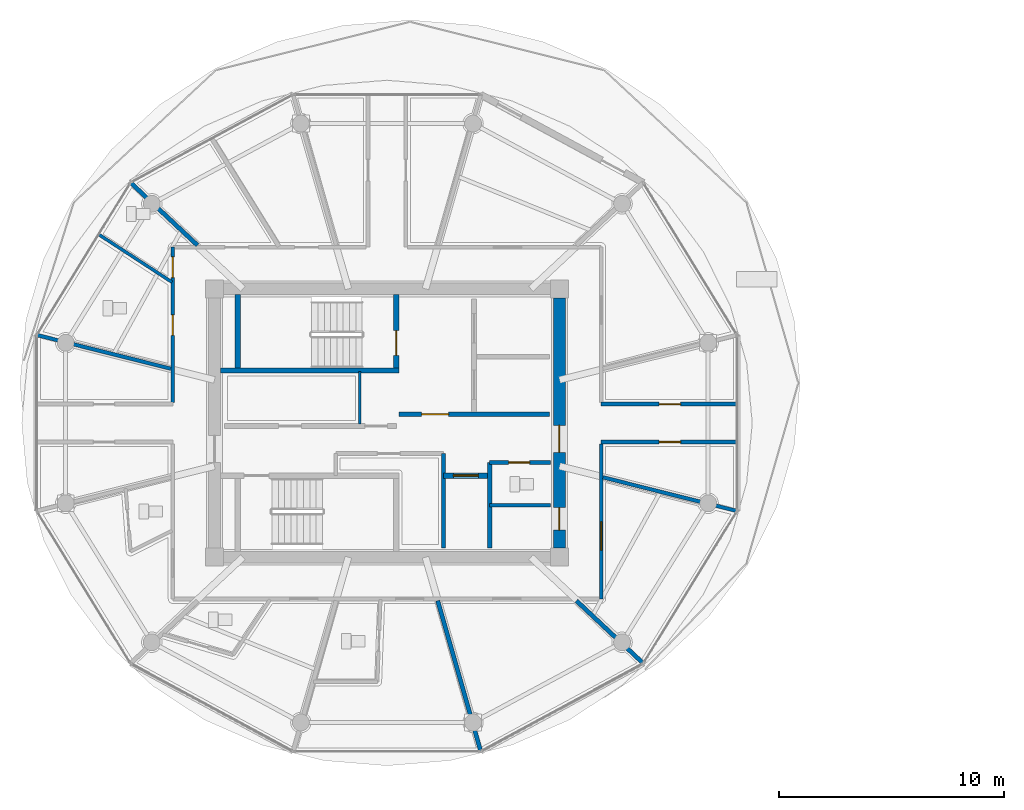
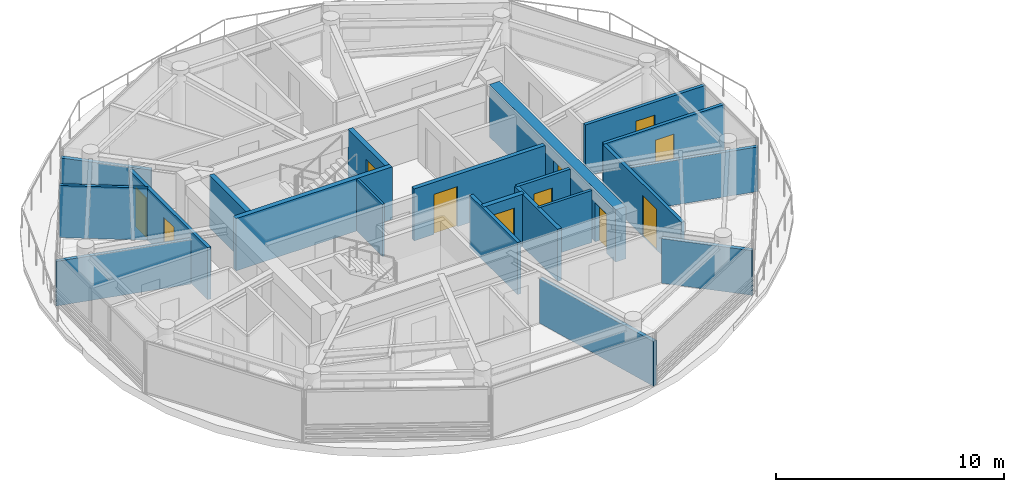
# One storey, part 11 of 28: 21 walls, 11 doors, 11 openings.
"""IFC4 building model written with IfcOpenShell, lengths in metres."""

from ifc_helpers import new_model, si_unit, direction, frame, frame_2d, origin, place, context, subcontext, project, spatial, rectangle, extrude, source, transform, mapped, material, layer, layer_set, type_object, type_shapes, element, fill, save


model = new_model("IFC4")

# Units and contexts
model_context = context("Model", 3, precision=1e-05, world=origin(), true_north=direction((0.0, 1.0)))
body_context = subcontext(model_context, "Body", "Model", "MODEL_VIEW")
ifc_project = project(units=[si_unit("LENGTHUNIT", "METRE"), si_unit("AREAUNIT", "SQUARE_METRE"), si_unit("VOLUMEUNIT", "CUBIC_METRE"), si_unit("PLANEANGLEUNIT", "RADIAN"), si_unit("MASSUNIT", "GRAM", prefix="KILO")], contexts=[model_context])

# Site, building, storey
site_placement = place(None, origin())
site = spatial("IfcSite", under=ifc_project, at=site_placement, CompositionType="ELEMENT")
building_placement = place(site_placement, origin())
building = spatial("IfcBuilding", under=site, at=building_placement, Name="Norrkilde Senior Care Towers", CompositionType="ELEMENT")
storey_placement = place(building_placement, frame((0.0, 0.0, 190.64990234375)))
storey = spatial("IfcBuildingStorey", under=building, at=storey_placement, Name="L59", CompositionType="ELEMENT", Elevation=190.64990234375)

# Wall, openings, doors
ifc_material_1 = material(Name="Concrete C50/60", Category="concrete")
ifc_layer_1 = layer(ifc_material_1, 0.52001953125)
ifc_layer_set_1 = layer_set([ifc_layer_1], Name="Concrete C50/60")
wall_type_1 = type_object("IfcWallType", Name="Core Shear Wall Z4 520", PredefinedType="SHEAR", material=ifc_layer_set_1)
shared_shape_1 = source(origin(), body_context, "Body", "SweptSolid", [
    extrude(rectangle(XDim=11.10009765625, YDim=0.52001953125, at=frame_2d((5.550048828125, 0.0))), origin(), (0.0, 0.0, 1.0), 2.81005859375),
])
type_shapes(wall_type_1, [shared_shape_1])
wall_1_placement = place(storey_placement, frame((-20.35009765625, 5.550048828125, 0.0), z_axis=(0.0, 0.0, 1.0), x_axis=(0.0, -1.0, 0.0)))
wall_1 = element("IfcWall", 1, at=wall_1_placement, inside=storey, type_object=wall_type_1, Name="L59 Core W East Shear Wall", PredefinedType="SHEAR", context=body_context, shape_type="MappedRepresentation", body=[
    mapped(shared_shape_1, transform((0.0, 0.0, 0.0), x_axis=(1.0, 0.0, 0.0), y_axis=(0.0, 1.0, 0.0), z_axis=(0.0, 0.0, 1.0), scale=1.0)),
])
opening_1_placement = place(wall_1_placement, frame((5.64990234375, 0.0, 0.0)))
opening_1 = element("IfcOpeningElement", 2, at=opening_1_placement, cuts=wall_1, Name="Opening D-04", PredefinedType="OPENING", context=body_context, shape_type="SweptSolid", body=[
    extrude(rectangle(XDim=1.199951171875, YDim=2.14990234375, at=frame_2d((0.60009765625, 1.074951171875))), frame((0.0, 0.27001953125, 0.0), z_axis=(0.0, -1.0, 0.0), x_axis=(1.0, 0.0, 0.0)), (0.0, 0.0, 1.0), 0.5400390625),
])
opening_2_placement = place(wall_1_placement, frame((9.300048828125, 0.0, 0.0)))
opening_2 = element("IfcOpeningElement", 3, at=opening_2_placement, cuts=wall_1, Name="Opening D-10", PredefinedType="OPENING", context=body_context, shape_type="SweptSolid", body=[
    extrude(rectangle(XDim=1.0, YDim=2.10009765625, at=frame_2d((0.5, 1.050048828125))), frame((0.0, 0.27001953125, 0.0), z_axis=(0.0, -1.0, 0.0), x_axis=(1.0, 0.0, 0.0)), (0.0, 0.0, 1.0), 0.5400390625),
])
ifc_material_2 = material(Name="Galvanised Painted Steel", Category="steel")
door_type_1 = type_object("IfcDoorType", Name="Firefighting Lobby Fire Door 1200x2150", OperationType="NOTDEFINED", PredefinedType="DOOR", material=ifc_material_2)
shared_shape_2 = source(origin(), body_context, "Body", "SweptSolid", [
    extrude(rectangle(XDim=1.199951171875, YDim=2.14990234375, at=frame_2d((0.60009765625, 1.074951171875))), frame((0.0, 0.02490234375, 0.0), z_axis=(0.0, -1.0, 0.0), x_axis=(1.0, 0.0, 0.0)), (0.0, 0.0, 1.0), 0.050048828125),
])
type_shapes(door_type_1, [shared_shape_2])
door_1_placement = place(opening_1_placement, frame((1.199951171875, 0.0, 0.0), z_axis=(0.0, 0.0, 1.0), x_axis=(-1.0, 0.0, 0.0)))
door_1 = element("IfcDoor", 4, at=door_1_placement, inside=storey, type_object=door_type_1, Name="L59 Core W East Portal Door", OperationType="SINGLE_SWING_RIGHT", OverallHeight=2.14990234375, OverallWidth=1.199951171875, PredefinedType="DOOR", context=body_context, shape_type="MappedRepresentation", body=[
    mapped(shared_shape_2, transform((0.0, 0.0, 0.0), x_axis=(1.0, 0.0, 0.0), y_axis=(0.0, 1.0, 0.0), z_axis=(0.0, 0.0, 1.0), scale=1.0)),
])
fill(opening_1, door_1)
door_type_2 = type_object("IfcDoorType", Name="Plant and Riser Rated Door 1000x2100", OperationType="NOTDEFINED", PredefinedType="DOOR", material=ifc_material_2)
shared_shape_3 = source(origin(), body_context, "Body", "SweptSolid", [
    extrude(rectangle(XDim=1.0, YDim=2.10009765625, at=frame_2d((0.5, 1.050048828125))), frame((0.0, 0.02490234375, 0.0), z_axis=(0.0, -1.0, 0.0), x_axis=(1.0, 0.0, 0.0)), (0.0, 0.0, 1.0), 0.050048828125),
])
type_shapes(door_type_2, [shared_shape_3])
door_2_placement = place(opening_2_placement, frame((1.0, 0.0, 0.0), z_axis=(0.0, 0.0, 1.0), x_axis=(-1.0, 0.0, 0.0)))
door_2 = element("IfcDoor", 5, at=door_2_placement, inside=storey, type_object=door_type_2, Name="L59 Ventilation Riser W Door", OperationType="SINGLE_SWING_RIGHT", OverallHeight=2.10009765625, OverallWidth=1.0, PredefinedType="DOOR", context=body_context, shape_type="MappedRepresentation", body=[
    mapped(shared_shape_3, transform((0.0, 0.0, 0.0), x_axis=(1.0, 0.0, 0.0), y_axis=(0.0, 1.0, 0.0), z_axis=(0.0, 0.0, 1.0), scale=1.0)),
])
fill(opening_2, door_2)

# Wall, opening, door
ifc_material_3 = material(Name="Concrete C45/55", Category="concrete")
ifc_layer_2 = layer(ifc_material_3, 0.2099609375)
ifc_layer_set_2 = layer_set([ifc_layer_2], Name="Concrete C45/55")
wall_type_2 = type_object("IfcWallType", Name="Firefighting Lobby Wall 210", PredefinedType="PARTITIONING", material=ifc_layer_set_2)
shared_shape_4 = source(origin(), body_context, "Body", "SweptSolid", [
    extrude(rectangle(XDim=6.659912109375, YDim=0.2099609375, at=frame_2d((3.330078125, 0.0))), origin(), (0.0, 0.0, 1.0), 2.795166015625),
])
type_shapes(wall_type_2, [shared_shape_4])
wall_2_placement = place(storey_placement, frame((-27.4599609375, 0.389892578125, 0.0), z_axis=(0.0, 0.0, 1.0), x_axis=(1.0, 0.0, 0.0)))
wall_2 = element("IfcWall", 6, at=wall_2_placement, inside=storey, type_object=wall_type_2, Name="WL-INT-L59-W-FFLS", PredefinedType="PARTITIONING", context=body_context, shape_type="MappedRepresentation", body=[
    mapped(shared_shape_4, transform((0.0, 0.0, 0.0), x_axis=(1.0, 0.0, 0.0), y_axis=(0.0, 1.0, 0.0), z_axis=(0.0, 0.0, 1.0), scale=1.0)),
])
opening_3_placement = place(wall_2_placement, frame((1.0, 0.0, 0.0)))
opening_3 = element("IfcOpeningElement", 7, at=opening_3_placement, cuts=wall_2, Name="Opening D-04", PredefinedType="OPENING", context=body_context, shape_type="SweptSolid", body=[
    extrude(rectangle(XDim=1.199951171875, YDim=2.14990234375, at=frame_2d((0.60009765625, 1.074951171875))), frame((0.0, 0.114990234375, 0.0), z_axis=(0.0, -1.0, 0.0), x_axis=(1.0, 0.0, 0.0)), (0.0, 0.0, 1.0), 0.22998046875),
])
door_3_placement = place(opening_3_placement, frame((1.199951171875, 0.0, 0.0), z_axis=(0.0, 0.0, 1.0), x_axis=(-1.0, 0.0, 0.0)))
door_3 = element("IfcDoor", 8, at=door_3_placement, inside=storey, type_object=door_type_1, Name="L59 Firefighting Lobby W Door", OperationType="SINGLE_SWING_LEFT", OverallHeight=2.14990234375, OverallWidth=1.199951171875, PredefinedType="DOOR", context=body_context, shape_type="MappedRepresentation", body=[
    mapped(shared_shape_2, transform((0.0, 0.0, 0.0), x_axis=(1.0, 0.0, 0.0), y_axis=(0.0, 1.0, 0.0), z_axis=(0.0, 0.0, 1.0), scale=1.0)),
])
fill(opening_3, door_3)

# Walls
ifc_material_4 = material(Name="Gypsum Acoustic Board")
ifc_layer_3 = layer(ifc_material_4, 0.114990234375)
ifc_layer_set_3 = layer_set([ifc_layer_3], Name="Gypsum Acoustic Board")
wall_type_3 = type_object("IfcWallType", Name="Internal Room Partition 115", PredefinedType="PARTITIONING", material=ifc_layer_set_3)
shared_shape_5 = source(origin(), body_context, "Body", "SweptSolid", [
    extrude(rectangle(XDim=2.330078125, YDim=0.114990234375, at=frame_2d((1.1650390625, 0.0))), origin(), (0.0, 0.0, 1.0), 2.795166015625),
])
type_shapes(wall_type_3, [shared_shape_5])
wall_3_placement = place(storey_placement, frame((-29.2099609375, -0.050048828125, 0.0), z_axis=(0.0, 0.0, 1.0), x_axis=(0.0, 1.0, 0.0)))
element("IfcWall", 9, at=wall_3_placement, inside=storey, type_object=wall_type_3, Name="WL-INT-L59-W-RISW", PredefinedType="PARTITIONING", context=body_context, shape_type="MappedRepresentation", body=[
    mapped(shared_shape_5, transform((0.0, 0.0, 0.0), x_axis=(1.0, 0.0, 0.0), y_axis=(0.0, 1.0, 0.0), z_axis=(0.0, 0.0, 1.0), scale=1.0)),
])
ifc_layer_4 = layer(ifc_material_3, 0.199951171875)
ifc_layer_set_4 = layer_set([ifc_layer_4], Name="Concrete C45/55")
wall_type_4 = type_object("IfcWallType", Name="Shaft Division and Plant Partition 200", PredefinedType="PARTITIONING", material=ifc_layer_set_4)
shared_shape_6 = source(origin(), body_context, "Body", "SweptSolid", [
    extrude(rectangle(XDim=3.800048828125, YDim=0.199951171875, at=frame_2d((1.89990234375, 0.0))), origin(), (0.0, 0.0, 1.0), 2.795166015625),
])
type_shapes(wall_type_4, [shared_shape_6])
wall_4_placement = place(storey_placement, frame((-23.449951171875, -5.550048828125, 0.0), z_axis=(0.0, 0.0, 1.0), x_axis=(0.0, 1.0, 0.0)))
element("IfcWall", 10, at=wall_4_placement, inside=storey, type_object=wall_type_4, Name="WL-INT-L59-W-PKBE", PredefinedType="PARTITIONING", context=body_context, shape_type="MappedRepresentation", body=[
    mapped(shared_shape_6, transform((0.0, 0.0, 0.0), x_axis=(1.0, 0.0, 0.0), y_axis=(0.0, 1.0, 0.0), z_axis=(0.0, 0.0, 1.0), scale=1.0)),
])

# Wall, opening, door
ifc_layer_5 = layer(ifc_material_4, 0.1650390625)
ifc_layer_set_5 = layer_set([ifc_layer_5], Name="Gypsum Acoustic Board")
wall_type_5 = type_object("IfcWallType", Name="Corridor Rated Partition 165", PredefinedType="PARTITIONING", material=ifc_layer_set_5)
shared_shape_7 = source(origin(), body_context, "Body", "SweptSolid", [
    extrude(rectangle(XDim=2.699951171875, YDim=0.1650390625, at=frame_2d((1.35009765625, 0.0))), origin(), (0.0, 0.0, 1.0), 2.795166015625),
])
wall_5_placement = place(storey_placement, frame((-23.449951171875, -1.75, 0.0), z_axis=(0.0, 0.0, 1.0), x_axis=(1.0, 0.0, 0.0)))
wall_5 = element("IfcWall", 11, at=wall_5_placement, inside=storey, type_object=wall_type_5, Name="WL-INT-L59-W-CSN", PredefinedType="PARTITIONING", context=body_context, shape_type="MappedRepresentation", body=[
    mapped(shared_shape_7, transform((0.0, 0.0, 0.0), x_axis=(1.0, 0.0, 0.0), y_axis=(0.0, 1.0, 0.0), z_axis=(0.0, 0.0, 1.0), scale=1.0)),
])
opening_4_placement = place(wall_5_placement, frame((0.85009765625, 0.0, 0.0)))
opening_4 = element("IfcOpeningElement", 12, at=opening_4_placement, cuts=wall_5, Name="Opening D-12", PredefinedType="OPENING", context=body_context, shape_type="SweptSolid", body=[
    extrude(rectangle(XDim=0.925048828125, YDim=2.10009765625, at=frame_2d((0.46240234375, 1.050048828125))), frame((0.0, 0.092529296875, 0.0), z_axis=(0.0, -1.0, 0.0), x_axis=(1.0, 0.0, 0.0)), (0.0, 0.0, 1.0), 0.18505859375),
])
door_type_3 = type_object("IfcDoorType", Name="Core Wet Room Rated Door 925x2100", OperationType="NOTDEFINED", PredefinedType="DOOR", material=ifc_material_2)
shared_shape_8 = source(origin(), body_context, "Body", "SweptSolid", [
    extrude(rectangle(XDim=0.925048828125, YDim=2.10009765625, at=frame_2d((0.46240234375, 1.050048828125))), frame((0.0, 0.02490234375, 0.0), z_axis=(0.0, -1.0, 0.0), x_axis=(1.0, 0.0, 0.0)), (0.0, 0.0, 1.0), 0.050048828125),
])
type_shapes(door_type_3, [shared_shape_8])
door_4_placement = place(opening_4_placement, origin())
door_4 = element("IfcDoor", 13, at=door_4_placement, inside=storey, type_object=door_type_3, Name="L59 Staff WC W Door", OperationType="SINGLE_SWING_LEFT", OverallHeight=2.10009765625, OverallWidth=0.925048828125, PredefinedType="DOOR", context=body_context, shape_type="MappedRepresentation", body=[
    mapped(shared_shape_8, transform((0.0, 0.0, 0.0), x_axis=(1.0, 0.0, 0.0), y_axis=(0.0, 1.0, 0.0), z_axis=(0.0, 0.0, 1.0), scale=1.0)),
])
fill(opening_4, door_4)

# Wall, openings, doors
shared_shape_9 = source(origin(), body_context, "Body", "SweptSolid", [
    extrude(rectangle(XDim=6.880126953125, YDim=0.1650390625, at=frame_2d((3.43994140625, 0.0))), origin(), (0.0, 0.0, 1.0), 2.795166015625),
])
wall_6_placement = place(storey_placement, frame((-37.5, 0.919921875, 0.0), z_axis=(0.0, 0.0, 1.0), x_axis=(0.0, 1.0, 0.0)))
wall_6 = element("IfcWall", 14, at=wall_6_placement, inside=storey, type_object=wall_type_5, Name="WL-INT-L59-W-CRW-W-1", PredefinedType="PARTITIONING", context=body_context, shape_type="MappedRepresentation", body=[
    mapped(shared_shape_9, transform((0.0, 0.0, 0.0), x_axis=(1.0, 0.0, 0.0), y_axis=(0.0, 1.0, 0.0), z_axis=(0.0, 0.0, 1.0), scale=1.0)),
])
opening_5_placement = place(wall_6_placement, frame((5.525146484375, 0.0, 0.0)))
opening_5 = element("IfcOpeningElement", 15, at=opening_5_placement, cuts=wall_6, Name="Opening D-08", PredefinedType="OPENING", context=body_context, shape_type="SweptSolid", body=[
    extrude(rectangle(XDim=0.919921875, YDim=2.10009765625, at=frame_2d((0.4599609375, 1.050048828125))), frame((0.0, 0.092529296875, 0.0), z_axis=(0.0, -1.0, 0.0), x_axis=(1.0, 0.0, 0.0)), (0.0, 0.0, 1.0), 0.18505859375),
])
opening_6_placement = place(wall_6_placement, frame((2.96240234375, 0.0, 0.0)))
opening_6 = element("IfcOpeningElement", 16, at=opening_6_placement, cuts=wall_6, Name="Opening D-08", PredefinedType="OPENING", context=body_context, shape_type="SweptSolid", body=[
    extrude(rectangle(XDim=0.919921875, YDim=2.10009765625, at=frame_2d((0.4599609375, 1.050048828125))), frame((0.0, 0.092529296875, 0.0), z_axis=(0.0, -1.0, 0.0), x_axis=(1.0, 0.0, 0.0)), (0.0, 0.0, 1.0), 0.18505859375),
])
ifc_material_5 = material(Name="Nordic Ash Timber", Category="wood")
door_type_4 = type_object("IfcDoorType", Name="Accessible Wet Room Door 920x2100", OperationType="NOTDEFINED", PredefinedType="DOOR", material=ifc_material_5)
shared_shape_10 = source(origin(), body_context, "Body", "SweptSolid", [
    extrude(rectangle(XDim=0.919921875, YDim=2.10009765625, at=frame_2d((0.4599609375, 1.050048828125))), frame((0.0, 0.02490234375, 0.0), z_axis=(0.0, -1.0, 0.0), x_axis=(1.0, 0.0, 0.0)), (0.0, 0.0, 1.0), 0.050048828125),
])
type_shapes(door_type_4, [shared_shape_10])
door_5_placement = place(opening_5_placement, frame((0.919921875, 0.0, 0.0), z_axis=(0.0, 0.0, 1.0), x_axis=(-1.0, 0.0, 0.0)))
door_5 = element("IfcDoor", 17, at=door_5_placement, inside=storey, type_object=door_type_4, Name="L59 Accessible Restroom Door", OperationType="SINGLE_SWING_LEFT", OverallHeight=2.10009765625, OverallWidth=0.919921875, PredefinedType="DOOR", context=body_context, shape_type="MappedRepresentation", body=[
    mapped(shared_shape_10, transform((0.0, 0.0, 0.0), x_axis=(1.0, 0.0, 0.0), y_axis=(0.0, 1.0, 0.0), z_axis=(0.0, 0.0, 1.0), scale=1.0)),
])
fill(opening_5, door_5)
door_6_placement = place(opening_6_placement, frame((0.919921875, 0.0, 0.0), z_axis=(0.0, 0.0, 1.0), x_axis=(-1.0, 0.0, 0.0)))
door_6 = element("IfcDoor", 18, at=door_6_placement, inside=storey, type_object=door_type_4, Name="L59 Public Restroom Door", OperationType="SINGLE_SWING_RIGHT", OverallHeight=2.10009765625, OverallWidth=0.919921875, PredefinedType="DOOR", context=body_context, shape_type="MappedRepresentation", body=[
    mapped(shared_shape_10, transform((0.0, 0.0, 0.0), x_axis=(1.0, 0.0, 0.0), y_axis=(0.0, 1.0, 0.0), z_axis=(0.0, 0.0, 1.0), scale=1.0)),
])
fill(opening_6, door_6)

# Wall, opening, door
wall_7_placement = place(storey_placement, frame((-18.5, -0.919921875, 0.0), z_axis=(0.0, 0.0, 1.0), x_axis=(0.0, -1.0, 0.0)))
wall_7 = element("IfcWall", 19, at=wall_7_placement, inside=storey, type_object=wall_type_5, Name="WL-INT-L59-W-CRW-E-1", PredefinedType="PARTITIONING", context=body_context, shape_type="MappedRepresentation", body=[
    mapped(shared_shape_9, transform((0.0, 0.0, 0.0), x_axis=(1.0, 0.0, 0.0), y_axis=(0.0, 1.0, 0.0), z_axis=(0.0, 0.0, 1.0), scale=1.0)),
])
opening_7_placement = place(wall_7_placement, frame((3.46435546875, 0.0, 0.0)))
opening_7 = element("IfcOpeningElement", 20, at=opening_7_placement, cuts=wall_7, Name="Opening D-05", PredefinedType="OPENING", context=body_context, shape_type="SweptSolid", body=[
    extrude(rectangle(XDim=1.25, YDim=2.199951171875, at=frame_2d((0.625, 1.10009765625))), frame((0.0, 0.092529296875, 0.0), z_axis=(0.0, -1.0, 0.0), x_axis=(1.0, 0.0, 0.0)), (0.0, 0.0, 1.0), 0.18505859375),
])
door_type_5 = type_object("IfcDoorType", Name="Care Bedroom Bariatric Door 1250x2200", OperationType="NOTDEFINED", PredefinedType="DOOR", material=ifc_material_5)
shared_shape_11 = source(origin(), body_context, "Body", "SweptSolid", [
    extrude(rectangle(XDim=1.25, YDim=2.199951171875, at=frame_2d((0.625, 1.10009765625))), frame((0.0, 0.02490234375, 0.0), z_axis=(0.0, -1.0, 0.0), x_axis=(1.0, 0.0, 0.0)), (0.0, 0.0, 1.0), 0.050048828125),
])
type_shapes(door_type_5, [shared_shape_11])
door_7_placement = place(opening_7_placement, frame((1.25, 0.0, 0.0), z_axis=(0.0, 0.0, 1.0), x_axis=(-1.0, 0.0, 0.0)))
door_7 = element("IfcDoor", 21, at=door_7_placement, inside=storey, type_object=door_type_5, Name="L59 Care Coordination Charting Office Door", OperationType="SINGLE_SWING_LEFT", OverallHeight=2.199951171875, OverallWidth=1.25, PredefinedType="DOOR", context=body_context, shape_type="MappedRepresentation", body=[
    mapped(shared_shape_11, transform((0.0, 0.0, 0.0), x_axis=(1.0, 0.0, 0.0), y_axis=(0.0, 1.0, 0.0), z_axis=(0.0, 0.0, 1.0), scale=1.0)),
])
fill(opening_7, door_7)

ifc_layer_6 = layer(ifc_material_3, 0.239990234375)
ifc_layer_set_6 = layer_set([ifc_layer_6], Name="Concrete C45/55")
wall_type_6 = type_object("IfcWallType", Name="Lift and Plant Rated Enclosure Partition 240", PredefinedType="PARTITIONING", material=ifc_layer_set_6)
shared_shape_12 = source(origin(), body_context, "Body", "SweptSolid", [
    extrude(rectangle(XDim=2.050048828125, YDim=0.239990234375, at=frame_2d((1.02490234375, 0.0))), origin(), (0.0, 0.0, 1.0), 2.795166015625),
])
type_shapes(wall_type_6, [shared_shape_12])
wall_8_placement = place(storey_placement, frame((-25.5, -2.330078125, 0.0), z_axis=(0.0, 0.0, 1.0), x_axis=(1.0, 0.0, 0.0)))
wall_8 = element("IfcWall", 22, at=wall_8_placement, inside=storey, type_object=wall_type_6, Name="WL-INT-L59-W-PL4N", PredefinedType="PARTITIONING", context=body_context, shape_type="MappedRepresentation", body=[
    mapped(shared_shape_12, transform((0.0, 0.0, 0.0), x_axis=(1.0, 0.0, 0.0), y_axis=(0.0, 1.0, 0.0), z_axis=(0.0, 0.0, 1.0), scale=1.0)),
])
opening_8_placement = place(wall_8_placement, frame((0.449951171875, 0.0, 0.0)))
opening_8 = element("IfcOpeningElement", 23, at=opening_8_placement, cuts=wall_8, Name="Opening LD-01", PredefinedType="OPENING", context=body_context, shape_type="SweptSolid", body=[
    extrude(rectangle(XDim=1.10009765625, YDim=2.199951171875, at=frame_2d((0.550048828125, 1.10009765625))), frame((0.0, 0.1298828125, 0.0), z_axis=(0.0, -1.0, 0.0), x_axis=(1.0, 0.0, 0.0)), (0.0, 0.0, 1.0), 0.260009765625),
])
ifc_material_6 = material(Name="Stainless Steel", Category="steel")
door_type_6 = type_object("IfcDoorType", Name="Lift Landing Sliding Door 1100x2200", OperationType="NOTDEFINED", PredefinedType="DOOR", material=ifc_material_6)
shared_shape_13 = source(origin(), body_context, "Body", "SweptSolid", [
    extrude(rectangle(XDim=1.10009765625, YDim=2.199951171875, at=frame_2d((0.550048828125, 1.10009765625))), frame((0.0, 0.02490234375, 0.0), z_axis=(0.0, -1.0, 0.0), x_axis=(1.0, 0.0, 0.0)), (0.0, 0.0, 1.0), 0.050048828125),
])
type_shapes(door_type_6, [shared_shape_13])
door_8_placement = place(opening_8_placement, frame((1.10009765625, 0.0, 0.0), z_axis=(0.0, 0.0, 1.0), x_axis=(-1.0, 0.0, 0.0)))
door_8 = element("IfcDoor", 24, at=door_8_placement, inside=storey, type_object=door_type_6, Name="L59 Passenger Lift W4 Landing Door", OperationType="SLIDING_TO_RIGHT", OverallHeight=2.199951171875, OverallWidth=1.10009765625, PredefinedType="DOOR", context=body_context, shape_type="MappedRepresentation", body=[
    mapped(shared_shape_13, transform((0.0, 0.0, 0.0), x_axis=(1.0, 0.0, 0.0), y_axis=(0.0, 1.0, 0.0), z_axis=(0.0, 0.0, 1.0), scale=1.0)),
])
fill(opening_8, door_8)

# Walls
ifc_layer_7 = layer(ifc_material_3, 0.179931640625)
ifc_layer_set_7 = layer_set([ifc_layer_7], Name="Concrete C45/55")
wall_type_7 = type_object("IfcWallType", Name="Hoistway Division Rated Partition 180", PredefinedType="PARTITIONING", material=ifc_layer_set_7)
shared_shape_14 = source(origin(), body_context, "Body", "SweptSolid", [
    extrude(rectangle(XDim=4.199951171875, YDim=0.179931640625, at=frame_2d((2.10009765625, 0.0))), origin(), (0.0, 0.0, 1.0), 2.795166015625),
])
type_shapes(wall_type_7, [shared_shape_14])
wall_9_placement = place(storey_placement, frame((-25.5, -5.550048828125, 0.0), z_axis=(0.0, 0.0, 1.0), x_axis=(0.0, 1.0, 0.0)))
element("IfcWall", 25, at=wall_9_placement, inside=storey, type_object=wall_type_7, Name="WL-INT-L59-W-PL4W", PredefinedType="PARTITIONING", context=body_context, shape_type="MappedRepresentation", body=[
    mapped(shared_shape_14, transform((0.0, 0.0, 0.0), x_axis=(1.0, 0.0, 0.0), y_axis=(0.0, 1.0, 0.0), z_axis=(0.0, 0.0, 1.0), scale=1.0)),
])
ifc_layer_8 = layer(ifc_material_4, 0.139892578125)
ifc_layer_set_8 = layer_set([ifc_layer_8], Name="Gypsum Acoustic Board")
wall_type_8 = type_object("IfcWallType", Name="En-suite Wet Room Wall 140", PredefinedType="PARTITIONING", material=ifc_layer_set_8)
shared_shape_15 = source(origin(), body_context, "Body", "SweptSolid", [
    extrude(rectangle(XDim=2.699951171875, YDim=0.139892578125, at=frame_2d((1.35009765625, 0.0))), origin(), (0.0, 0.0, 1.0), 2.795166015625),
])
wall_10_placement = place(storey_placement, frame((-23.449951171875, -3.64990234375, 0.0), z_axis=(0.0, 0.0, 1.0), x_axis=(1.0, 0.0, 0.0)))
element("IfcWall", 26, at=wall_10_placement, inside=storey, type_object=wall_type_8, Name="WL-INT-L59-W-CS2H", PredefinedType="PARTITIONING", context=body_context, shape_type="MappedRepresentation", body=[
    mapped(shared_shape_15, transform((0.0, 0.0, 0.0), x_axis=(1.0, 0.0, 0.0), y_axis=(0.0, 1.0, 0.0), z_axis=(0.0, 0.0, 1.0), scale=1.0)),
])
ifc_layer_9 = layer(ifc_material_3, 0.239990234375)
ifc_layer_set_9 = layer_set([ifc_layer_9], Name="Concrete C45/55")
wall_type_9 = type_object("IfcWallType", Name="Shaft and Stair Enclosure Wall 240", PredefinedType="PARTITIONING", material=ifc_layer_set_9)
shared_shape_16 = source(origin(), body_context, "Body", "SweptSolid", [
    extrude(rectangle(XDim=7.929931640625, YDim=0.239990234375, at=frame_2d((3.96484375, 0.0))), origin(), (0.0, 0.0, 1.0), 2.81005859375),
])
wall_11_placement = place(storey_placement, frame((-35.389892578125, 2.330078125, 0.0), z_axis=(0.0, 0.0, 1.0), x_axis=(1.0, 0.0, 0.0)))
element("IfcWall", 27, at=wall_11_placement, inside=storey, type_object=wall_type_9, Name="WL-INT-L59-W-ST1S", PredefinedType="PARTITIONING", context=body_context, shape_type="MappedRepresentation", body=[
    mapped(shared_shape_16, transform((0.0, 0.0, 0.0), x_axis=(1.0, 0.0, 0.0), y_axis=(0.0, 1.0, 0.0), z_axis=(0.0, 0.0, 1.0), scale=1.0)),
])
shared_shape_17 = source(origin(), body_context, "Body", "SweptSolid", [
    extrude(rectangle(XDim=3.239990234375, YDim=0.239990234375, at=frame_2d((1.6201171875, 0.0))), origin(), (0.0, 0.0, 1.0), 2.81005859375),
])
type_shapes(wall_type_9, [shared_shape_16, shared_shape_17])
wall_12_placement = place(storey_placement, frame((-34.6201171875, 2.449951171875, 0.0), z_axis=(0.0, 0.0, 1.0), x_axis=(0.0, 1.0, 0.0)))
element("IfcWall", 28, at=wall_12_placement, inside=storey, type_object=wall_type_9, Name="WL-INT-L59-W-ST1W", PredefinedType="PARTITIONING", context=body_context, shape_type="MappedRepresentation", body=[
    mapped(shared_shape_17, transform((0.0, 0.0, 0.0), x_axis=(1.0, 0.0, 0.0), y_axis=(0.0, 1.0, 0.0), z_axis=(0.0, 0.0, 1.0), scale=1.0)),
])

# Wall, opening, door
wall_13_placement = place(storey_placement, frame((-27.580078125, 2.449951171875, 0.0), z_axis=(0.0, 0.0, 1.0), x_axis=(0.0, 1.0, 0.0)))
wall_13 = element("IfcWall", 29, at=wall_13_placement, inside=storey, type_object=wall_type_9, Name="WL-INT-L59-W-ST1E", PredefinedType="PARTITIONING", context=body_context, shape_type="MappedRepresentation", body=[
    mapped(shared_shape_17, transform((0.0, 0.0, 0.0), x_axis=(1.0, 0.0, 0.0), y_axis=(0.0, 1.0, 0.0), z_axis=(0.0, 0.0, 1.0), scale=1.0)),
])
opening_9_placement = place(wall_13_placement, frame((0.550048828125, 0.0, 0.0)))
opening_9 = element("IfcOpeningElement", 30, at=opening_9_placement, cuts=wall_13, Name="Opening D-03", PredefinedType="OPENING", context=body_context, shape_type="SweptSolid", body=[
    extrude(rectangle(XDim=1.10009765625, YDim=2.14990234375, at=frame_2d((0.550048828125, 1.074951171875))), frame((0.0, 0.1298828125, 0.0), z_axis=(0.0, -1.0, 0.0), x_axis=(1.0, 0.0, 0.0)), (0.0, 0.0, 1.0), 0.260009765625),
])
door_type_7 = type_object("IfcDoorType", Name="Stairwell Protected Fire Door 1100x2150", OperationType="NOTDEFINED", PredefinedType="DOOR", material=ifc_material_2)
shared_shape_18 = source(origin(), body_context, "Body", "SweptSolid", [
    extrude(rectangle(XDim=1.10009765625, YDim=2.14990234375, at=frame_2d((0.550048828125, 1.074951171875))), frame((0.0, 0.02490234375, 0.0), z_axis=(0.0, -1.0, 0.0), x_axis=(1.0, 0.0, 0.0)), (0.0, 0.0, 1.0), 0.050048828125),
])
type_shapes(door_type_7, [shared_shape_18])
door_9_placement = place(opening_9_placement, origin())
door_9 = element("IfcDoor", 31, at=door_9_placement, inside=storey, type_object=door_type_7, Name="L59 Stair W1 Fire Door", OperationType="SINGLE_SWING_LEFT", OverallHeight=2.14990234375, OverallWidth=1.10009765625, PredefinedType="DOOR", context=body_context, shape_type="MappedRepresentation", body=[
    mapped(shared_shape_18, transform((0.0, 0.0, 0.0), x_axis=(1.0, 0.0, 0.0), y_axis=(0.0, 1.0, 0.0), z_axis=(0.0, 0.0, 1.0), scale=1.0)),
])
fill(opening_9, door_9)

# Walls
shared_shape_19 = source(origin(), body_context, "Body", "SweptSolid", [
    extrude(rectangle(XDim=6.1572265625, YDim=0.1650390625, at=frame_2d((3.07861328125, 0.0))), origin(), (0.0, 0.0, 1.0), 2.39501953125),
])
for number, where, z_axis, x_axis, name in (
    (32, (-37.580078125, 2.407470703125, 0.0), (0.0, 0.0, 1.0), (-0.969840867184, 0.243738984038, 0.0), "WL-INT-L59-W-DEM-05-0"),
    (33, (-18.419921875, -2.407470703125, 0.0), (0.0, 0.0, 1.0), (0.969840867184, -0.243738984038, 0.0), "WL-INT-L59-W-DEM-11-0"),
):
    element("IfcWall", number, at=place(storey_placement, frame(where, z_axis=z_axis, x_axis=x_axis)), inside=storey, type_object=wall_type_5, Name=name, PredefinedType="PARTITIONING", context=body_context, shape_type="MappedRepresentation", body=[
        mapped(shared_shape_19, transform((0.0, 0.0, 0.0), x_axis=(1.0, 0.0, 0.0), y_axis=(0.0, 1.0, 0.0), z_axis=(0.0, 0.0, 1.0), scale=1.0)),
    ])

# Wall, opening, door
shared_shape_20 = source(origin(), body_context, "Body", "SweptSolid", [
    extrude(rectangle(XDim=6.101318359375, YDim=0.1650390625, at=frame_2d((3.05078125, 0.0))), origin(), (0.0, 0.0, 1.0), 2.795166015625),
])
type_shapes(wall_type_5, [shared_shape_7, shared_shape_9, shared_shape_19, shared_shape_20])
wall_14_placement = place(storey_placement, frame((-18.5, 0.840087890625, 0.0), z_axis=(0.0, 0.0, 1.0), x_axis=(1.0, 0.0, 0.0)))
wall_14 = element("IfcWall", 34, at=wall_14_placement, inside=storey, type_object=wall_type_5, Name="WL-INT-L59-W-SPK-E1-0", PredefinedType="PARTITIONING", context=body_context, shape_type="MappedRepresentation", body=[
    mapped(shared_shape_20, transform((0.0, 0.0, 0.0), x_axis=(1.0, 0.0, 0.0), y_axis=(0.0, 1.0, 0.0), z_axis=(0.0, 0.0, 1.0), scale=1.0)),
])
opening_10_placement = place(wall_14_placement, frame((2.57568359375, 0.0, 0.0)))
opening_10 = element("IfcOpeningElement", 35, at=opening_10_placement, cuts=wall_14, Name="Opening D-07", PredefinedType="OPENING", context=body_context, shape_type="SweptSolid", body=[
    extrude(rectangle(XDim=0.949951171875, YDim=2.10009765625, at=frame_2d((0.47509765625, 1.050048828125))), frame((0.0, 0.092529296875, 0.0), z_axis=(0.0, -1.0, 0.0), x_axis=(1.0, 0.0, 0.0)), (0.0, 0.0, 1.0), 0.18505859375),
])
door_type_8 = type_object("IfcDoorType", Name="Internal Suite Bedroom Door 950x2100", OperationType="NOTDEFINED", PredefinedType="DOOR", material=ifc_material_5)
shared_shape_21 = source(origin(), body_context, "Body", "SweptSolid", [
    extrude(rectangle(XDim=0.949951171875, YDim=2.10009765625, at=frame_2d((0.47509765625, 1.050048828125))), frame((0.0, 0.02490234375, 0.0), z_axis=(0.0, -1.0, 0.0), x_axis=(1.0, 0.0, 0.0)), (0.0, 0.0, 1.0), 0.050048828125),
])
type_shapes(door_type_8, [shared_shape_21])
door_10_placement = place(opening_10_placement, frame((0.949951171875, 0.0, 0.0), z_axis=(0.0, 0.0, 1.0), x_axis=(-1.0, 0.0, 0.0)))
door_10 = element("IfcDoor", 36, at=door_10_placement, inside=storey, type_object=door_type_8, Name="L59 Sun Reading Lounge 6 Door", OperationType="SINGLE_SWING_LEFT", OverallHeight=2.10009765625, OverallWidth=0.949951171875, PredefinedType="DOOR", context=body_context, shape_type="MappedRepresentation", body=[
    mapped(shared_shape_21, transform((0.0, 0.0, 0.0), x_axis=(1.0, 0.0, 0.0), y_axis=(0.0, 1.0, 0.0), z_axis=(0.0, 0.0, 1.0), scale=1.0)),
])
fill(opening_10, door_10)

wall_15_placement = place(storey_placement, frame((-12.398681640625, -0.840087890625, 0.0), z_axis=(0.0, 0.0, 1.0), x_axis=(-1.0, 0.0, 0.0)))
wall_15 = element("IfcWall", 37, at=wall_15_placement, inside=storey, type_object=wall_type_5, Name="WL-INT-L59-W-SPK-E2-0", PredefinedType="PARTITIONING", context=body_context, shape_type="MappedRepresentation", body=[
    mapped(shared_shape_20, transform((0.0, 0.0, 0.0), x_axis=(1.0, 0.0, 0.0), y_axis=(0.0, 1.0, 0.0), z_axis=(0.0, 0.0, 1.0), scale=1.0)),
])
opening_11_placement = place(wall_15_placement, frame((2.57568359375, 0.0, 0.0)))
opening_11 = element("IfcOpeningElement", 38, at=opening_11_placement, cuts=wall_15, Name="Opening D-07", PredefinedType="OPENING", context=body_context, shape_type="SweptSolid", body=[
    extrude(rectangle(XDim=0.949951171875, YDim=2.10009765625, at=frame_2d((0.47509765625, 1.050048828125))), frame((0.0, 0.092529296875, 0.0), z_axis=(0.0, -1.0, 0.0), x_axis=(1.0, 0.0, 0.0)), (0.0, 0.0, 1.0), 0.18505859375),
])
door_11_placement = place(opening_11_placement, frame((0.949951171875, 0.0, 0.0), z_axis=(0.0, 0.0, 1.0), x_axis=(-1.0, 0.0, 0.0)))
door_11 = element("IfcDoor", 39, at=door_11_placement, inside=storey, type_object=door_type_8, Name="L59 Sun Reading Lounge 5 Door", OperationType="SINGLE_SWING_RIGHT", OverallHeight=2.10009765625, OverallWidth=0.949951171875, PredefinedType="DOOR", context=body_context, shape_type="MappedRepresentation", body=[
    mapped(shared_shape_21, transform((0.0, 0.0, 0.0), x_axis=(1.0, 0.0, 0.0), y_axis=(0.0, 1.0, 0.0), z_axis=(0.0, 0.0, 1.0), scale=1.0)),
])
fill(opening_11, door_11)

# Walls
ifc_layer_10 = layer(ifc_material_4, 0.18994140625)
ifc_layer_set_10 = layer_set([ifc_layer_10], Name="Gypsum Acoustic Board")
wall_type_10 = type_object("IfcWallType", Name="Unit Demising Acoustic Wall 190", PredefinedType="PARTITIONING", material=ifc_layer_set_10)
shared_shape_22 = source(origin(), body_context, "Body", "SweptSolid", [
    extrude(rectangle(XDim=4.089111328125, YDim=0.18994140625, at=frame_2d((2.04443359375, 0.0))), origin(), (0.0, 0.0, 1.0), 2.39501953125),
])
for number, where, z_axis, x_axis, name in (
    (40, (-36.40185546875, 7.8798828125, 0.0), (0.0, 0.0, 1.0), (-0.729401273609, 0.684086092577, 0.0), "WL-INT-L59-W-DEM-04-0"),
    (41, (-19.59814453125, -7.8798828125, 0.0), (0.0, 0.0, 1.0), (0.729401273609, -0.684086092577, 0.0), "WL-INT-L59-W-DEM-10-0"),
):
    element("IfcWall", number, at=place(storey_placement, frame(where, z_axis=z_axis, x_axis=x_axis)), inside=storey, type_object=wall_type_10, Name=name, PredefinedType="PARTITIONING", context=body_context, shape_type="MappedRepresentation", body=[
        mapped(shared_shape_22, transform((0.0, 0.0, 0.0), x_axis=(1.0, 0.0, 0.0), y_axis=(0.0, 1.0, 0.0), z_axis=(0.0, 0.0, 1.0), scale=1.0)),
    ])
shared_shape_23 = source(origin(), body_context, "Body", "SweptSolid", [
    extrude(rectangle(XDim=3.903564453125, YDim=0.139892578125, at=frame_2d((1.95166015625, 0.0))), origin(), (0.0, 0.0, 1.0), 2.795166015625),
])
type_shapes(wall_type_8, [shared_shape_15, shared_shape_23])
wall_16_placement = place(storey_placement, frame((-37.530029296875, 6.245849609375, 0.0), z_axis=(0.0, 0.0, 1.0), x_axis=(-0.838024687996, 0.545632314209, 0.0)))
element("IfcWall", 42, at=wall_16_placement, inside=storey, type_object=wall_type_8, Name="WL-INT-L59-W-MID-04", PredefinedType="PARTITIONING", context=body_context, shape_type="MappedRepresentation", body=[
    mapped(shared_shape_23, transform((0.0, 0.0, 0.0), x_axis=(1.0, 0.0, 0.0), y_axis=(0.0, 1.0, 0.0), z_axis=(0.0, 0.0, 1.0), scale=1.0)),
])
shared_shape_24 = source(origin(), body_context, "Body", "SweptSolid", [
    extrude(rectangle(XDim=6.973876953125, YDim=0.18994140625, at=frame_2d((3.48681640625, 0.0))), origin(), (0.0, 0.0, 1.0), 2.39501953125),
])
type_shapes(wall_type_10, [shared_shape_22, shared_shape_24])
wall_17_placement = place(storey_placement, frame((-25.748779296875, -7.8798828125, 0.0), z_axis=(0.0, 0.0, 1.0), x_axis=(0.274707256801, -0.961527910703, 0.0)))
element("IfcWall", 43, at=wall_17_placement, inside=storey, type_object=wall_type_10, Name="WL-INT-L59-W-DEM-09-0", PredefinedType="PARTITIONING", context=body_context, shape_type="MappedRepresentation", body=[
    mapped(shared_shape_24, transform((0.0, 0.0, 0.0), x_axis=(1.0, 0.0, 0.0), y_axis=(0.0, 1.0, 0.0), z_axis=(0.0, 0.0, 1.0), scale=1.0)),
])

save(model, "model.ifc")
